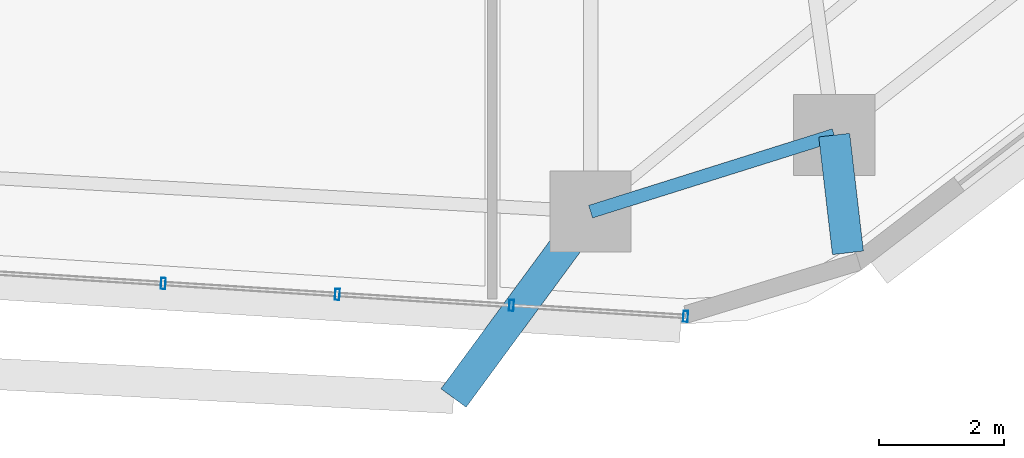
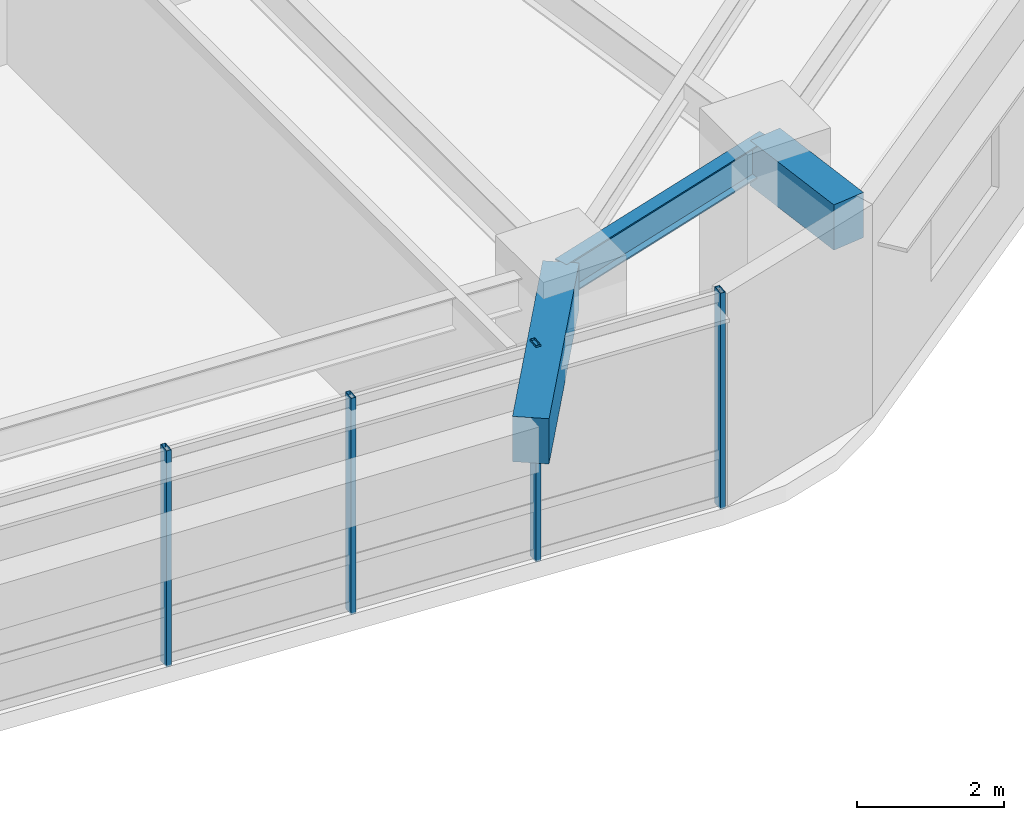
# One storey, part 5 of 13: 4 members, 3 beams, 1 element without a shape of its own.
"""IFC4 building model written with IfcOpenShell, lengths in metres."""

from ifc_helpers import new_model, si_unit, direction, frame, origin, origin_2d, place, context, subcontext, project, spatial, rectangle, hollow_rectangle, i_section, extrude, material, material_profile, profile_set, type_object, element, aggregate, save


model = new_model("IFC4")

# Units and contexts
model_context = context("Model", 3, precision=1e-05, world=origin(), true_north=direction((0.0, 1.0)))
body_context = subcontext(model_context, "Body", "Model", "MODEL_VIEW")
ifc_project = project(units=[si_unit("LENGTHUNIT", "METRE"), si_unit("AREAUNIT", "SQUARE_METRE"), si_unit("VOLUMEUNIT", "CUBIC_METRE"), si_unit("PLANEANGLEUNIT", "RADIAN"), si_unit("MASSUNIT", "GRAM", prefix="KILO")], contexts=[model_context])

# Site, building, storey
site_placement = place(None, origin())
site = spatial("IfcSite", under=ifc_project, at=site_placement, CompositionType="ELEMENT")
building_placement = place(site_placement, origin())
building = spatial("IfcBuilding", under=site, at=building_placement, Name="Zulverin Broadcast Headquarters", CompositionType="ELEMENT")
storey_placement = place(building_placement, frame((0.0, 0.0, 70.60009765625)))
storey = spatial("IfcBuildingStorey", under=building, at=storey_placement, Name="L17", CompositionType="ELEMENT", Elevation=70.60009765625)

# Beams
ifc_material_1 = material(Name="Concrete C40/50", Category="concrete")
ifc_material_profile_1 = material_profile(ifc_material_1, rectangle(XDim=0.5, YDim=0.75, at=origin_2d()), Name="Concrete C40/50", Category="concrete")
ifc_profile_set_1 = profile_set([ifc_material_profile_1], Name="Concrete C40/50")
beam_type_1 = type_object("IfcBeamType", Name="BM-RC-500x750", PredefinedType="BEAM", material=ifc_profile_set_1)
beam_1_placement = place(storey_placement, frame((50.08056640625, 4.22509765625, 3.14990234375), z_axis=(0.115916621896, -0.99325894749, 0.0), x_axis=(0.99325894749, 0.115916621896, 0.0)))
element("IfcBeam", 1, at=beam_1_placement, inside=storey, type_object=beam_type_1, Name="L18 Plate Overhang Back-Spanned Beam OVR-03", PredefinedType="BEAM", context=body_context, shape_type="SweptSolid", body=[
    extrude(rectangle(XDim=0.5, YDim=0.75, at=origin_2d()), origin(), (0.0, 0.0, 1.0), 1.899658203125),
])
beam_2_placement = place(storey_placement, frame((46.175048828125, 2.997802734375, 3.14990234375), z_axis=(-0.592473400613, -0.805590013323, 0.0), x_axis=(0.805590013323, -0.592473400613, 0.0)))
element("IfcBeam", 2, at=beam_2_placement, inside=storey, type_object=beam_type_1, Name="L18 Balcony Column-Framed Cantilever BAL_S-2", PredefinedType="BEAM", context=body_context, shape_type="SweptSolid", body=[
    extrude(rectangle(XDim=0.5, YDim=0.75, at=origin_2d()), origin(), (0.0, 0.0, 1.0), 3.708251953125),
])
ifc_material_2 = material(Name="Structural steel S355JR", Category="steel")
ifc_material_profile_2 = material_profile(ifc_material_2, i_section(OverallWidth=0.2119140625, OverallDepth=0.54443359375, WebThickness=0.0126953125, FlangeThickness=0.021240234375, at=origin_2d()), Name="Structural steel S355JR", Category="steel")
ifc_profile_set_2 = profile_set([ifc_material_profile_2], Name="Structural steel S355JR")
beam_type_2 = type_object("IfcBeamType", Name="BM-UB-533", PredefinedType="SPANDREL", material=ifc_profile_set_2)
beam_3_placement = place(storey_placement, frame((46.175048828125, 2.997802734375, 3.252685546875), z_axis=(0.954004438448, 0.299792480595, 0.0), x_axis=(-0.299792480595, 0.954004438448, 0.0)))
element("IfcBeam", 3, at=beam_3_placement, inside=storey, type_object=beam_type_2, Name="L17 Perimeter Spandrel Beam SP-02", PredefinedType="SPANDREL", context=body_context, shape_type="SweptSolid", body=[
    extrude(i_section(OverallWidth=0.2119140625, OverallDepth=0.54443359375, WebThickness=0.0126953125, FlangeThickness=0.021240234375, at=origin_2d()), origin(), (0.0, 0.0, 1.0), 4.09375),
])

# Curtain wall, members
ifc_material_3 = material(Name="Low-zone ribbon unitised curtain wall", Category="aluminium")
curtain_wall_type = type_object("IfcCurtainWallType", Name="CW-TWR-LOW", PredefinedType="USERDEFINED", material=ifc_material_3)
curtain_wall_placement = place(storey_placement, origin())
curtain_wall = element("IfcCurtainWall", 4, at=curtain_wall_placement, inside=storey, type_object=curtain_wall_type, Name="L17 Unitised Curtain Wall CW-L17-E1", ObjectType="UNITISED CURTAIN WALL", PredefinedType="USERDEFINED")
ifc_material_4 = material(Name="Anodized pale-metal aluminium alloy 6063-T6", Category="aluminium")
ifc_material_profile_3 = material_profile(ifc_material_4, hollow_rectangle(XDim=0.074951171875, YDim=0.179931640625, WallThickness=0.0048828125, at=origin_2d()), Name="Anodized pale-metal aluminium alloy 6063-T6", Category="aluminium")
ifc_profile_set_3 = profile_set([ifc_material_profile_3], Name="Anodized pale-metal aluminium alloy 6063-T6")
member_type = type_object("IfcMemberType", Name="CW-MUL-180", PredefinedType="MULLION", material=ifc_profile_set_3)
member_1_placement = place(storey_placement, frame((39.32470703125, 1.846923828125, -0.030029296875), z_axis=(0.0, 0.0, 1.0), x_axis=(0.998017182581, -0.062942062821, 0.0)))
member_1 = element("IfcMember", 5, at=member_1_placement, type_object=member_type, Name="CW-L17-E1 Mullion 04", PredefinedType="MULLION", context=body_context, shape_type="SweptSolid", body=[
    extrude(hollow_rectangle(XDim=0.074951171875, YDim=0.179931640625, WallThickness=0.0048828125, at=origin_2d()), origin(), (0.0, 0.0, 1.0), 3.5849609375),
])
member_2_placement = place(storey_placement, frame((42.11572265625, 1.6708984375, -0.030029296875), z_axis=(0.0, 0.0, 1.0), x_axis=(0.998017182581, -0.062942062821, 0.0)))
member_2 = element("IfcMember", 6, at=member_2_placement, type_object=member_type, Name="CW-L17-E1 Mullion 05", PredefinedType="MULLION", context=body_context, shape_type="SweptSolid", body=[
    extrude(hollow_rectangle(XDim=0.074951171875, YDim=0.179931640625, WallThickness=0.0048828125, at=origin_2d()), origin(), (0.0, 0.0, 1.0), 3.5849609375),
])
member_3_placement = place(storey_placement, frame((44.906982421875, 1.4951171875, -0.030029296875), z_axis=(0.0, 0.0, 1.0), x_axis=(0.998017182581, -0.062942062821, 0.0)))
member_3 = element("IfcMember", 7, at=member_3_placement, type_object=member_type, Name="CW-L17-E1 Mullion 06", PredefinedType="MULLION", context=body_context, shape_type="SweptSolid", body=[
    extrude(hollow_rectangle(XDim=0.074951171875, YDim=0.179931640625, WallThickness=0.0048828125, at=origin_2d()), origin(), (0.0, 0.0, 1.0), 3.5849609375),
])
member_4_placement = place(storey_placement, frame((47.6982421875, 1.319091796875, -0.030029296875), z_axis=(0.0, 0.0, 1.0), x_axis=(0.998017182581, -0.062942062821, 0.0)))
member_4 = element("IfcMember", 8, at=member_4_placement, type_object=member_type, Name="CW-L17-E1 Mullion 07", PredefinedType="MULLION", context=body_context, shape_type="SweptSolid", body=[
    extrude(hollow_rectangle(XDim=0.074951171875, YDim=0.179931640625, WallThickness=0.0048828125, at=origin_2d()), origin(), (0.0, 0.0, 1.0), 3.5849609375),
])
aggregate(curtain_wall, [member_1, member_2, member_3, member_4])

save(model, "model.ifc")
